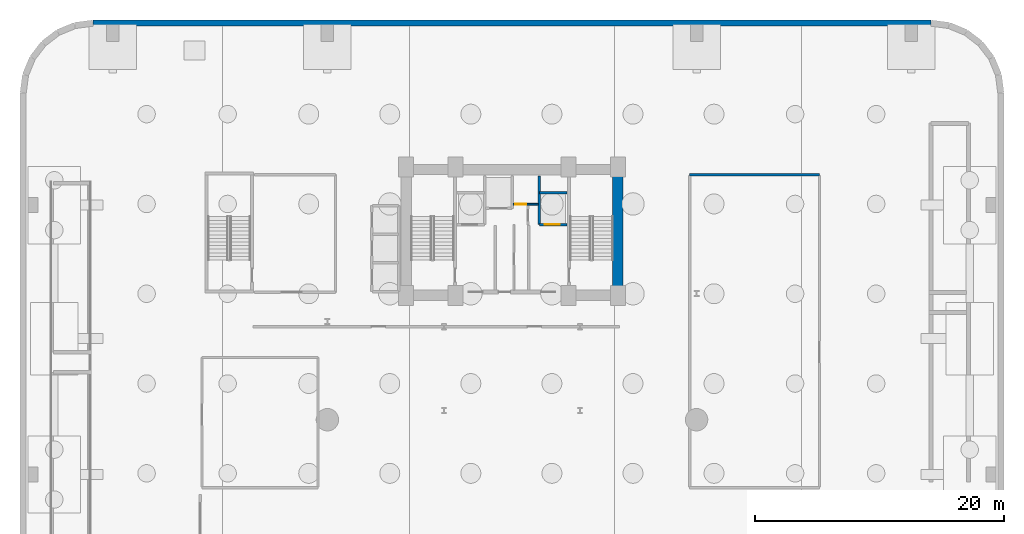
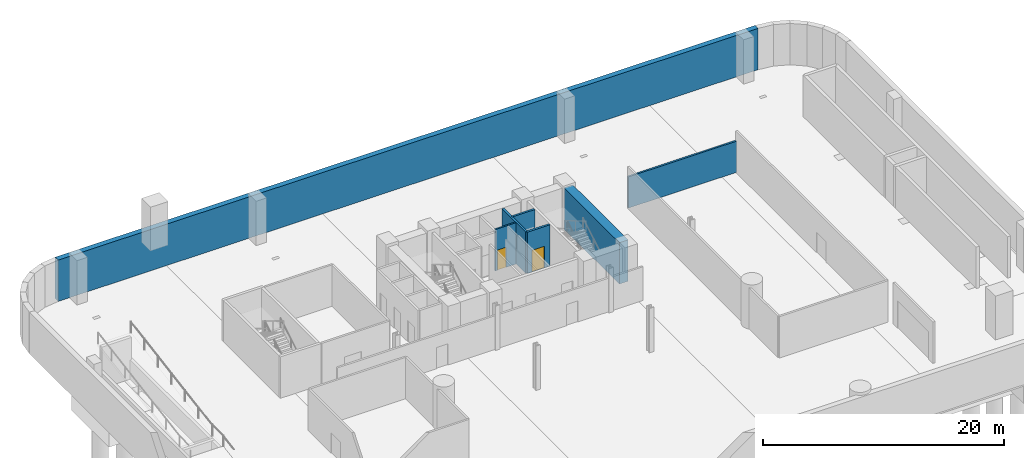
# One storey, part 4 of 8: 7 walls, 2 doors, 2 openings.
"""IFC4 building model written with IfcOpenShell, lengths in metres."""

from ifc_helpers import new_model, si_unit, direction, frame, frame_2d, origin, place, context, subcontext, project, spatial, rectangle, extrude, material, layer, layer_set, type_object, element, fill, save


model = new_model("IFC4")

# Units and contexts
model_context = context("Model", 3, precision=1e-05, world=origin(), true_north=direction((0.0, 1.0)))
body_context = subcontext(model_context, "Body", "Model", "MODEL_VIEW")
ifc_project = project(units=[si_unit("LENGTHUNIT", "METRE"), si_unit("AREAUNIT", "SQUARE_METRE"), si_unit("VOLUMEUNIT", "CUBIC_METRE"), si_unit("PLANEANGLEUNIT", "RADIAN"), si_unit("MASSUNIT", "GRAM", prefix="KILO")], contexts=[model_context])

# Site, building, storey
site_placement = place(None, origin())
site = spatial("IfcSite", under=ifc_project, at=site_placement, CompositionType="ELEMENT")
building_placement = place(site_placement, origin())
building = spatial("IfcBuilding", under=site, at=building_placement, Name="Varnelok Gate Tower", CompositionType="ELEMENT")
storey_placement = place(building_placement, frame((0.0, 0.0, -9.0)))
storey = spatial("IfcBuildingStorey", under=building, at=storey_placement, Name="B02", CompositionType="ELEMENT", Elevation=-9.0)

# Wall
ifc_material_1 = material(Name="Gypsum Plasterboard Acoustic Partition", Category="gypsum")
ifc_layer_1 = layer(ifc_material_1, 0.179931640625)
ifc_layer_set_1 = layer_set([ifc_layer_1], Name="Gypsum Plasterboard Acoustic Partition")
wall_type_1 = type_object("IfcWallType", Name="PW-CORR-180", PredefinedType="PARTITIONING", material=ifc_layer_set_1)
wall_1_placement = place(storey_placement, frame((53.449951171875, 38.449951171875, 0.0), z_axis=(0.0, 0.0, 1.0), x_axis=(1.0, 0.0, 0.0)))
element("IfcWall", 1, at=wall_1_placement, inside=storey, type_object=wall_type_1, Name="Interior Partition", PredefinedType="PARTITIONING", context=body_context, shape_type="SweptSolid", body=[
    extrude(rectangle(XDim=10.400146484375, YDim=0.179931640625, at=frame_2d((5.2001953125, 0.0))), origin(), (0.0, 0.0, 1.0), 3.1650390625),
])

# Wall, opening, door
ifc_layer_2 = layer(ifc_material_1, 0.14990234375)
ifc_layer_set_2 = layer_set([ifc_layer_2], Name="Gypsum Plasterboard Acoustic Partition")
wall_type_2 = type_object("IfcWallType", Name="PW-PART-150", PredefinedType="PARTITIONING", material=ifc_layer_set_2)
wall_2_placement = place(storey_placement, frame((39.300048828125, 36.080078125, 0.0), z_axis=(0.0, 0.0, 1.0), x_axis=(1.0, 0.0, 0.0)))
wall_2 = element("IfcWall", 2, at=wall_2_placement, inside=storey, type_object=wall_type_2, Name="B02 Electrical Closet South Wall", PredefinedType="PARTITIONING", context=body_context, shape_type="SweptSolid", body=[
    extrude(rectangle(XDim=2.02001953125, YDim=0.14990234375, at=frame_2d((1.010009765625, 0.0))), origin(), (0.0, 0.0, 1.0), 4.199951171875),
])
opening_1_placement = place(wall_2_placement, frame((0.179931640625, 0.0, 0.0)))
opening_1 = element("IfcOpeningElement", 3, at=opening_1_placement, cuts=wall_2, Name="Opening D-RS", PredefinedType="OPENING", context=body_context, shape_type="SweptSolid", body=[
    extrude(rectangle(XDim=0.85009765625, YDim=2.050048828125, at=frame_2d((0.425048828125, 1.02490234375))), frame((0.0, 0.0849609375, 0.0), z_axis=(0.0, -1.0, 0.0), x_axis=(1.0, 0.0, 0.0)), (0.0, 0.0, 1.0), 0.169921875),
])
ifc_material_2 = material(Name="Galvanized Steel Grade S350GD", Category="steel")
door_type_1 = type_object("IfcDoorType", Name="DR-RISER-850", OperationType="NOTDEFINED", PredefinedType="DOOR", material=ifc_material_2)
door_1_placement = place(opening_1_placement, origin())
door_1 = element("IfcDoor", 4, at=door_1_placement, inside=storey, type_object=door_type_1, Name="B02 Electrical Closet Door", OperationType="SINGLE_SWING_RIGHT", OverallHeight=2.050048828125, OverallWidth=0.85009765625, PredefinedType="DOOR", context=body_context, shape_type="SweptSolid", body=[
    extrude(rectangle(XDim=0.85009765625, YDim=2.050048828125, at=frame_2d((0.425048828125, 1.02490234375))), frame((0.0, 0.02490234375, 0.0), z_axis=(0.0, -1.0, 0.0), x_axis=(1.0, 0.0, 0.0)), (0.0, 0.0, 1.0), 0.050048828125),
])
fill(opening_1, door_1)

ifc_material_3 = material(Name="Concrete C35/45", Category="concrete")
ifc_layer_3 = layer(ifc_material_3, 0.199951171875)
ifc_layer_set_3 = layer_set([ifc_layer_3], Name="Concrete C35/45")
wall_type_3 = type_object("IfcWallType", Name="PW-SHAFT-200", PredefinedType="PARTITIONING", material=ifc_layer_set_3)
wall_3_placement = place(storey_placement, frame((41.419921875, 34.43994140625, 0.0), z_axis=(0.0, 0.0, 1.0), x_axis=(1.0, 0.0, 0.0)))
wall_3 = element("IfcWall", 5, at=wall_3_placement, inside=storey, type_object=wall_type_3, Name="B02 FF2 Shaft Front Wall", PredefinedType="PARTITIONING", context=body_context, shape_type="SweptSolid", body=[
    extrude(rectangle(XDim=2.18017578125, YDim=0.199951171875, at=frame_2d((1.090087890625, 0.0))), origin(), (0.0, 0.0, 1.0), 4.199951171875),
])
opening_2_placement = place(wall_3_placement, frame((0.419921875, 0.0, 0.0)))
opening_2 = element("IfcOpeningElement", 6, at=opening_2_placement, cuts=wall_3, Name="Opening LD-FF2", PredefinedType="OPENING", context=body_context, shape_type="SweptSolid", body=[
    extrude(rectangle(XDim=1.199951171875, YDim=2.199951171875, at=frame_2d((0.60009765625, 1.10009765625))), frame((0.0, 0.10986328125, 0.0), z_axis=(0.0, -1.0, 0.0), x_axis=(1.0, 0.0, 0.0)), (0.0, 0.0, 1.0), 0.219970703125),
])
door_type_2 = type_object("IfcDoorType", Name="DR-LIFT-FF1200", OperationType="SLIDING_TO_LEFT", PredefinedType="DOOR", material=ifc_material_2)
door_2_placement = place(opening_2_placement, origin())
door_2 = element("IfcDoor", 7, at=door_2_placement, inside=storey, type_object=door_type_2, Name="B02 Firefighting Lift Landing Door LD-FF2", OperationType="SLIDING_TO_LEFT", OverallHeight=2.199951171875, OverallWidth=1.199951171875, PredefinedType="DOOR", context=body_context, shape_type="SweptSolid", body=[
    extrude(rectangle(XDim=1.199951171875, YDim=2.199951171875, at=frame_2d((0.60009765625, 1.10009765625))), frame((0.0, 0.02490234375, 0.0), z_axis=(0.0, -1.0, 0.0), x_axis=(1.0, 0.0, 0.0)), (0.0, 0.0, 1.0), 0.050048828125),
])
fill(opening_2, door_2)

# Walls
wall_4_placement = place(storey_placement, frame((41.419921875, 36.97998046875, 0.0), z_axis=(0.0, 0.0, 1.0), x_axis=(1.0, 0.0, 0.0)))
element("IfcWall", 8, at=wall_4_placement, inside=storey, type_object=wall_type_3, Name="B02 FF2 Shaft North Wall", PredefinedType="PARTITIONING", context=body_context, shape_type="SweptSolid", body=[
    extrude(rectangle(XDim=2.18017578125, YDim=0.199951171875, at=frame_2d((1.090087890625, 0.0))), origin(), (0.0, 0.0, 1.0), 4.199951171875),
])
wall_5_placement = place(storey_placement, frame((41.39990234375, 34.43994140625, 0.0), z_axis=(0.0, 0.0, 1.0), x_axis=(0.0, 1.0, 0.0)))
element("IfcWall", 9, at=wall_5_placement, inside=storey, type_object=wall_type_3, Name="B02 FF2 Shaft Side Wall", PredefinedType="PARTITIONING", context=body_context, shape_type="SweptSolid", body=[
    extrude(rectangle(XDim=3.900146484375, YDim=0.199951171875, at=frame_2d((1.9501953125, 0.0))), origin(), (0.0, 0.0, 1.0), 4.199951171875),
])
ifc_material_4 = material(Name="Concrete C70/85", Category="concrete")
ifc_layer_4 = layer(ifc_material_4, 0.85009765625)
ifc_layer_set_4 = layer_set([ifc_layer_4], Name="Concrete C70/85")
wall_type_4 = type_object("IfcWallType", Name="SW-CORE-850", PredefinedType="SHEAR", material=ifc_layer_set_4)
wall_6_placement = place(storey_placement, frame((47.695068359375, 29.199951171875, 0.0), z_axis=(0.0, 0.0, 1.0), x_axis=(0.0, 1.0, 0.0)))
element("IfcWall", 10, at=wall_6_placement, inside=storey, type_object=wall_type_4, Name="B02 Rear Core East Shear Wall", PredefinedType="SHEAR", context=body_context, shape_type="SweptSolid", body=[
    extrude(rectangle(XDim=9.219970703125, YDim=0.85009765625, at=frame_2d((4.60986328125, 0.0))), origin(), (0.0, 0.0, 1.0), 4.199951171875),
])
ifc_material_5 = material(Name="Concrete C50/60", Category="concrete")
ifc_layer_5 = layer(ifc_material_5, 0.5)
ifc_layer_set_5 = layer_set([ifc_layer_5], Name="Concrete C50/60")
wall_type_5 = type_object("IfcWallType", Name="SW-RET-500", PredefinedType="SOLIDWALL", material=ifc_layer_set_5)
wall_7_placement = place(storey_placement, frame((5.60009765625, 50.60009765625, 0.0), z_axis=(0.0, 0.0, 1.0), x_axis=(1.0, 0.0, 0.0)))
element("IfcWall", 11, at=wall_7_placement, inside=storey, type_object=wall_type_5, Name="B02 Perimeter Retaining Wall 22", PredefinedType="SOLIDWALL", context=body_context, shape_type="SweptSolid", body=[
    extrude(rectangle(XDim=67.199951171875, YDim=0.5, at=frame_2d((33.60009765625, 0.0))), origin(), (0.0, 0.0, 1.0), 4.199951171875),
])

save(model, "model.ifc")
